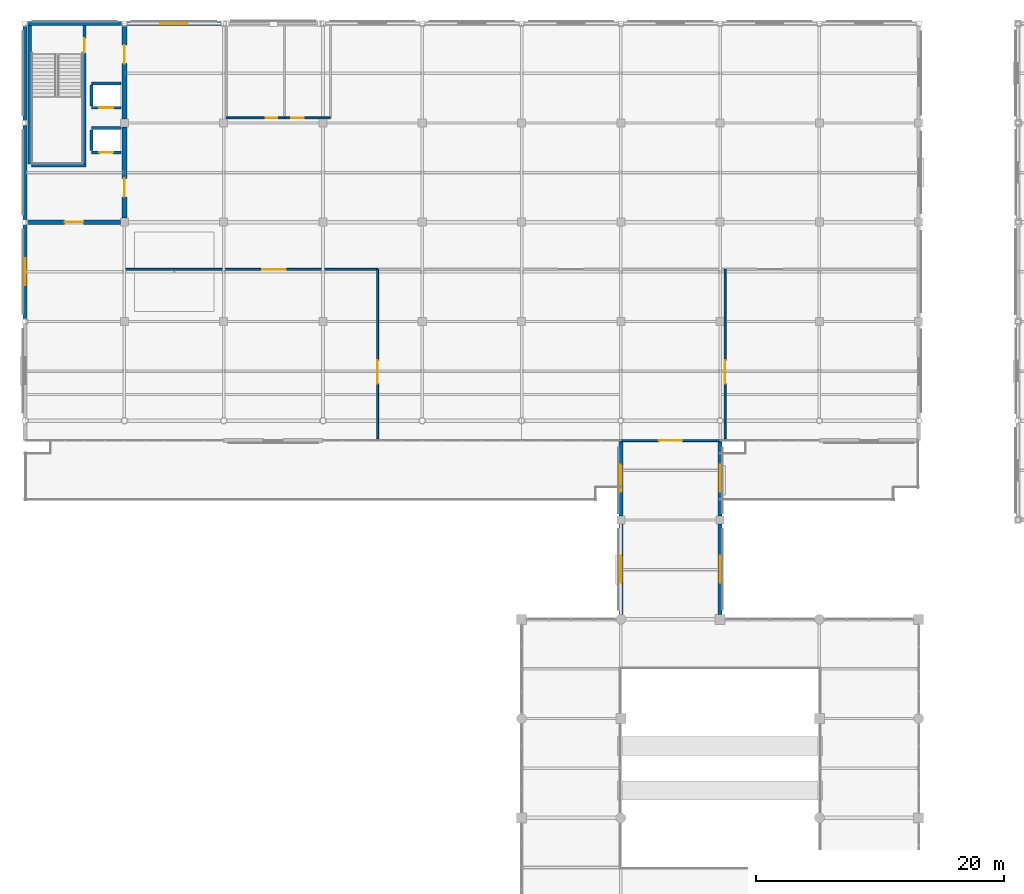
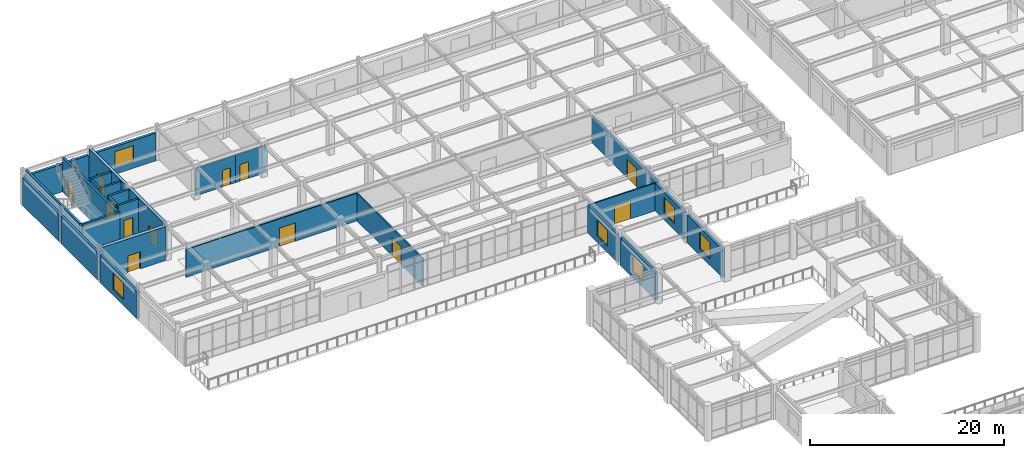
# One storey, part 61 of 93: 27 walls, 12 doors, 6 windows, 18 openings.
"""IFC4 building model written with IfcOpenShell, lengths in metres."""

from ifc_helpers import new_model, si_unit, direction, frame, frame_2d, origin, place, context, subcontext, project, spatial, rectangle, extrude, material, layer, layer_set, type_object, element, fill, save


model = new_model("IFC4")

# Units and contexts
model_context = context("Model", 3, precision=1e-05, world=origin(), true_north=direction((0.0, 1.0)))
body_context = subcontext(model_context, "Body", "Model", "MODEL_VIEW")
ifc_project = project(units=[si_unit("LENGTHUNIT", "METRE"), si_unit("AREAUNIT", "SQUARE_METRE"), si_unit("VOLUMEUNIT", "CUBIC_METRE"), si_unit("PLANEANGLEUNIT", "RADIAN"), si_unit("MASSUNIT", "GRAM", prefix="KILO")], contexts=[model_context])

# Site, building, storey
site_placement = place(None, origin())
site = spatial("IfcSite", under=ifc_project, at=site_placement, CompositionType="ELEMENT")
building_placement = place(site_placement, origin())
building = spatial("IfcBuilding", under=site, at=building_placement, Name="Solmirada Galleria", CompositionType="ELEMENT")
storey_placement = place(building_placement, frame((0.0, 0.0, 14.89990234375)))
storey = spatial("IfcBuildingStorey", under=building, at=storey_placement, Name="L03", CompositionType="ELEMENT", Elevation=14.89990234375)

# Wall, opening, door
ifc_material_1 = material(Name="Concrete C40/50", Category="concrete")
ifc_layer_1 = layer(ifc_material_1, 0.3798828125)
ifc_layer_set_1 = layer_set([ifc_layer_1], Name="Concrete C40/50")
wall_type_1 = type_object("IfcWallType", Name="WL-CORE-380", PredefinedType="SHEAR", material=ifc_layer_set_1)
wall_1_placement = place(storey_placement, frame((40.202880859375, 104.0, 0.0), z_axis=(0.0, 0.0, 1.0), x_axis=(1.0, 0.0, 0.0)))
wall_1 = element("IfcWall", 1, at=wall_1_placement, inside=storey, type_object=wall_type_1, Name="Core C1 shear wall L03 S1", PredefinedType="SHEAR", context=body_context, shape_type="SweptSolid", body=[
    extrude(rectangle(XDim=7.47216796875, YDim=0.3798828125, at=frame_2d((3.736083984375, 0.0))), origin(), (0.0, 0.0, 1.0), 4.280029296875),
])
opening_1_placement = place(wall_1_placement, frame((2.986083984375, 0.0, 0.0)))
opening_1 = element("IfcOpeningElement", 2, at=opening_1_placement, cuts=wall_1, Name="Opening LDY-118", PredefinedType="OPENING", context=body_context, shape_type="SweptSolid", body=[
    extrude(rectangle(XDim=1.5, YDim=2.14990234375, at=frame_2d((0.75, 1.074951171875))), frame((0.0, 0.199951171875, 0.0), z_axis=(0.0, -1.0, 0.0), x_axis=(1.0, 0.0, 0.0)), (0.0, 0.0, 1.0), 0.39990234375),
])
ifc_material_2 = material(Name="Fire-rated painted steel door assembly", Category="steel")
door_type_1 = type_object("IfcDoorType", Name="DR-LOBBY-150X215", OperationType="DOUBLE_DOOR_SINGLE_SWING", PredefinedType="DOOR", material=ifc_material_2)
door_1_placement = place(opening_1_placement, origin())
door_1 = element("IfcDoor", 3, at=door_1_placement, inside=storey, type_object=door_type_1, Name="Core C1 lobby access fire door LDY-118", OperationType="DOUBLE_DOOR_SINGLE_SWING", OverallHeight=2.14990234375, OverallWidth=1.5, PredefinedType="DOOR", context=body_context, shape_type="SweptSolid", body=[
    extrude(rectangle(XDim=1.5, YDim=2.14990234375, at=frame_2d((0.75, 1.074951171875))), frame((0.0, 0.02490234375, 0.0), z_axis=(0.0, -1.0, 0.0), x_axis=(1.0, 0.0, 0.0)), (0.0, 0.0, 1.0), 0.050048828125),
])
fill(opening_1, door_1)

wall_2_placement = place(storey_placement, frame((48.0, 104.324951171875, 0.0), z_axis=(0.0, 0.0, 1.0), x_axis=(0.0, 1.0, 0.0)))
wall_2 = element("IfcWall", 4, at=wall_2_placement, inside=storey, type_object=wall_type_1, Name="Core C1 shear wall L03 E1", PredefinedType="SHEAR", context=body_context, shape_type="SweptSolid", body=[
    extrude(rectangle(XDim=7.35009765625, YDim=0.3798828125, at=frame_2d((3.675048828125, 0.0))), origin(), (0.0, 0.0, 1.0), 4.280029296875),
])
opening_2_placement = place(wall_2_placement, frame((1.7119140625, 0.0, 0.0)))
opening_2 = element("IfcOpeningElement", 5, at=opening_2_placement, cuts=wall_2, Name="Opening LDY-119", PredefinedType="OPENING", context=body_context, shape_type="SweptSolid", body=[
    extrude(rectangle(XDim=1.5, YDim=2.14990234375, at=frame_2d((0.75, 1.074951171875))), frame((0.0, 0.199951171875, 0.0), z_axis=(0.0, -1.0, 0.0), x_axis=(1.0, 0.0, 0.0)), (0.0, 0.0, 1.0), 0.39990234375),
])
door_2_placement = place(opening_2_placement, origin())
door_2 = element("IfcDoor", 6, at=door_2_placement, inside=storey, type_object=door_type_1, Name="Core C1 lobby access fire door LDY-119", OperationType="DOUBLE_DOOR_SINGLE_SWING", OverallHeight=2.14990234375, OverallWidth=1.5, PredefinedType="DOOR", context=body_context, shape_type="SweptSolid", body=[
    extrude(rectangle(XDim=1.5, YDim=2.14990234375, at=frame_2d((0.75, 1.074951171875))), frame((0.0, 0.02490234375, 0.0), z_axis=(0.0, -1.0, 0.0), x_axis=(1.0, 0.0, 0.0)), (0.0, 0.0, 1.0), 0.050048828125),
])
fill(opening_2, door_2)

wall_3_placement = place(storey_placement, frame((48.0, 112.324951171875, 0.0), z_axis=(0.0, 0.0, 1.0), x_axis=(0.0, 1.0, 0.0)))
wall_3 = element("IfcWall", 7, at=wall_3_placement, inside=storey, type_object=wall_type_1, Name="Core C1 shear wall L03 E2", PredefinedType="SHEAR", context=body_context, shape_type="SweptSolid", body=[
    extrude(rectangle(XDim=7.47216796875, YDim=0.3798828125, at=frame_2d((3.736083984375, 0.0))), origin(), (0.0, 0.0, 1.0), 4.280029296875),
])
opening_3_placement = place(wall_3_placement, frame((4.447998046875, 0.0, 0.0)))
opening_3 = element("IfcOpeningElement", 8, at=opening_3_placement, cuts=wall_3, Name="Opening LDY-120", PredefinedType="OPENING", context=body_context, shape_type="SweptSolid", body=[
    extrude(rectangle(XDim=1.5, YDim=2.14990234375, at=frame_2d((0.75, 1.074951171875))), frame((0.0, 0.199951171875, 0.0), z_axis=(0.0, -1.0, 0.0), x_axis=(1.0, 0.0, 0.0)), (0.0, 0.0, 1.0), 0.39990234375),
])
door_3_placement = place(opening_3_placement, origin())
door_3 = element("IfcDoor", 9, at=door_3_placement, inside=storey, type_object=door_type_1, Name="Core C1 lobby access fire door LDY-120", OperationType="DOUBLE_DOOR_SINGLE_SWING", OverallHeight=2.14990234375, OverallWidth=1.5, PredefinedType="DOOR", context=body_context, shape_type="SweptSolid", body=[
    extrude(rectangle(XDim=1.5, YDim=2.14990234375, at=frame_2d((0.75, 1.074951171875))), frame((0.0, 0.02490234375, 0.0), z_axis=(0.0, -1.0, 0.0), x_axis=(1.0, 0.0, 0.0)), (0.0, 0.0, 1.0), 0.050048828125),
])
fill(opening_3, door_3)

# Wall, opening, window
ifc_material_3 = material(Name="Precast concrete C40/50", Category="concrete")
ifc_layer_2 = layer(ifc_material_3, 0.31005859375)
ifc_layer_set_2 = layer_set([ifc_layer_2], Name="Precast concrete C40/50")
wall_type_2 = type_object("IfcWallType", Name="WL-EXT-310", PredefinedType="STANDARD", material=ifc_layer_set_2)
wall_4_placement = place(storey_placement, frame((88.0, 72.39990234375, 0.0), z_axis=(0.0, 0.0, 1.0), x_axis=(0.0, 1.0, 0.0)))
wall_4 = element("IfcWall", 10, at=wall_4_placement, inside=storey, type_object=wall_type_2, Name="Exterior wall L03 bay 008", PredefinedType="STANDARD", context=body_context, shape_type="SweptSolid", body=[
    extrude(rectangle(XDim=7.275146484375, YDim=0.31005859375, at=frame_2d((3.6376953125, 0.0))), origin(), (0.0, 0.0, 1.0), 3.47998046875),
])
opening_4_placement = place(wall_4_placement, frame((2.537109375, 0.0, 0.800048828125)))
opening_4 = element("IfcOpeningElement", 11, at=opening_4_placement, cuts=wall_4, Name="Opening WN3", PredefinedType="OPENING", context=body_context, shape_type="SweptSolid", body=[
    extrude(rectangle(XDim=2.199951171875, YDim=2.050048828125, at=frame_2d((1.10009765625, 1.02490234375))), frame((0.0, 0.1650390625, 0.0), z_axis=(0.0, -1.0, 0.0), x_axis=(1.0, 0.0, 0.0)), (0.0, 0.0, 1.0), 0.330078125),
])
ifc_material_4 = material(Name="Impact-resistant low-E double glazing", Category="glass")
window_type = type_object("IfcWindowType", Name="WIN-AVE-220X205", PartitioningType="DOUBLE_PANEL_VERTICAL", PredefinedType="WINDOW", material=ifc_material_4)
window_1_placement = place(opening_4_placement, origin())
window_1 = element("IfcWindow", 12, at=window_1_placement, inside=storey, type_object=window_type, Name="Window L03-070", OverallHeight=2.050048828125, OverallWidth=2.199951171875, PartitioningType="DOUBLE_PANEL_VERTICAL", PredefinedType="WINDOW", context=body_context, shape_type="SweptSolid", body=[
    extrude(rectangle(XDim=2.199951171875, YDim=2.050048828125, at=frame_2d((1.10009765625, 1.02490234375))), frame((0.0, 0.030029296875, 0.0), z_axis=(0.0, -1.0, 0.0), x_axis=(1.0, 0.0, 0.0)), (0.0, 0.0, 1.0), 0.06005859375),
])
fill(opening_4, window_1)

wall_5_placement = place(storey_placement, frame((88.0, 80.324951171875, 0.0), z_axis=(0.0, 0.0, 1.0), x_axis=(0.0, 1.0, 0.0)))
wall_5 = element("IfcWall", 13, at=wall_5_placement, inside=storey, type_object=wall_type_2, Name="Exterior wall L03 bay 009", PredefinedType="STANDARD", context=body_context, shape_type="SweptSolid", body=[
    extrude(rectangle(XDim=6.074951171875, YDim=0.31005859375, at=frame_2d((3.03759765625, 0.0))), origin(), (0.0, 0.0, 1.0), 3.47998046875),
])
opening_5_placement = place(wall_5_placement, frame((1.93798828125, 0.0, 0.800048828125)))
opening_5 = element("IfcOpeningElement", 14, at=opening_5_placement, cuts=wall_5, Name="Opening WN3", PredefinedType="OPENING", context=body_context, shape_type="SweptSolid", body=[
    extrude(rectangle(XDim=2.199951171875, YDim=2.050048828125, at=frame_2d((1.10009765625, 1.02490234375))), frame((0.0, 0.1650390625, 0.0), z_axis=(0.0, -1.0, 0.0), x_axis=(1.0, 0.0, 0.0)), (0.0, 0.0, 1.0), 0.330078125),
])
window_2_placement = place(opening_5_placement, origin())
window_2 = element("IfcWindow", 15, at=window_2_placement, inside=storey, type_object=window_type, Name="Window L03-071", OverallHeight=2.050048828125, OverallWidth=2.199951171875, PartitioningType="DOUBLE_PANEL_VERTICAL", PredefinedType="WINDOW", context=body_context, shape_type="SweptSolid", body=[
    extrude(rectangle(XDim=2.199951171875, YDim=2.050048828125, at=frame_2d((1.10009765625, 1.02490234375))), frame((0.0, 0.030029296875, 0.0), z_axis=(0.0, -1.0, 0.0), x_axis=(1.0, 0.0, 0.0)), (0.0, 0.0, 1.0), 0.06005859375),
])
fill(opening_5, window_2)

wall_6_placement = place(storey_placement, frame((40.0, 96.202880859375, 0.0), z_axis=(0.0, 0.0, 1.0), x_axis=(0.0, 1.0, 0.0)))
wall_6 = element("IfcWall", 16, at=wall_6_placement, inside=storey, type_object=wall_type_2, Name="Exterior wall L03 bay 018", PredefinedType="STANDARD", context=body_context, shape_type="SweptSolid", body=[
    extrude(rectangle(XDim=7.59423828125, YDim=0.31005859375, at=frame_2d((3.797119140625, 0.0))), origin(), (0.0, 0.0, 1.0), 3.47998046875),
])
opening_6_placement = place(wall_6_placement, frame((2.697021484375, 0.0, 0.800048828125)))
opening_6 = element("IfcOpeningElement", 17, at=opening_6_placement, cuts=wall_6, Name="Opening WN3", PredefinedType="OPENING", context=body_context, shape_type="SweptSolid", body=[
    extrude(rectangle(XDim=2.199951171875, YDim=2.050048828125, at=frame_2d((1.10009765625, 1.02490234375))), frame((0.0, 0.1650390625, 0.0), z_axis=(0.0, -1.0, 0.0), x_axis=(1.0, 0.0, 0.0)), (0.0, 0.0, 1.0), 0.330078125),
])
window_3_placement = place(opening_6_placement, origin())
window_3 = element("IfcWindow", 18, at=window_3_placement, inside=storey, type_object=window_type, Name="Window L03-073", OverallHeight=2.050048828125, OverallWidth=2.199951171875, PartitioningType="DOUBLE_PANEL_VERTICAL", PredefinedType="WINDOW", context=body_context, shape_type="SweptSolid", body=[
    extrude(rectangle(XDim=2.199951171875, YDim=2.050048828125, at=frame_2d((1.10009765625, 1.02490234375))), frame((0.0, 0.030029296875, 0.0), z_axis=(0.0, -1.0, 0.0), x_axis=(1.0, 0.0, 0.0)), (0.0, 0.0, 1.0), 0.06005859375),
])
fill(opening_6, window_3)

# Walls
for number, where, z_axis, x_axis, name in (
    (19, (40.0, 104.202880859375, 0.0), (0.0, 0.0, 1.0), (0.0, 1.0, 0.0), "Exterior wall L03 bay 019"),
    (20, (40.0, 112.202880859375, 0.0), (0.0, 0.0, 1.0), (0.0, 1.0, 0.0), "Exterior wall L03 bay 020"),
    (21, (40.202880859375, 120.0, 0.0), (0.0, 0.0, 1.0), (1.0, 0.0, 0.0), "Exterior wall L03 bay 021"),
):
    element("IfcWall", number, at=place(storey_placement, frame(where, z_axis=z_axis, x_axis=x_axis)), inside=storey, type_object=wall_type_2, Name=name, PredefinedType="STANDARD", context=body_context, shape_type="SweptSolid", body=[
        extrude(rectangle(XDim=7.59423828125, YDim=0.31005859375, at=frame_2d((3.797119140625, 0.0))), origin(), (0.0, 0.0, 1.0), 3.47998046875),
    ])

# Wall, opening, window
wall_7_placement = place(storey_placement, frame((48.202880859375, 120.0, 0.0), z_axis=(0.0, 0.0, 1.0), x_axis=(1.0, 0.0, 0.0)))
wall_7 = element("IfcWall", 22, at=wall_7_placement, inside=storey, type_object=wall_type_2, Name="Exterior wall L03 bay 022", PredefinedType="STANDARD", context=body_context, shape_type="SweptSolid", body=[
    extrude(rectangle(XDim=7.59423828125, YDim=0.31005859375, at=frame_2d((3.797119140625, 0.0))), origin(), (0.0, 0.0, 1.0), 3.47998046875),
])
opening_7_placement = place(wall_7_placement, frame((2.697021484375, 0.0, 0.800048828125)))
opening_7 = element("IfcOpeningElement", 23, at=opening_7_placement, cuts=wall_7, Name="Opening WN3", PredefinedType="OPENING", context=body_context, shape_type="SweptSolid", body=[
    extrude(rectangle(XDim=2.199951171875, YDim=2.050048828125, at=frame_2d((1.10009765625, 1.02490234375))), frame((0.0, 0.1650390625, 0.0), z_axis=(0.0, -1.0, 0.0), x_axis=(1.0, 0.0, 0.0)), (0.0, 0.0, 1.0), 0.330078125),
])
window_4_placement = place(opening_7_placement, origin())
window_4 = element("IfcWindow", 24, at=window_4_placement, inside=storey, type_object=window_type, Name="Window L03-074", OverallHeight=2.050048828125, OverallWidth=2.199951171875, PartitioningType="DOUBLE_PANEL_VERTICAL", PredefinedType="WINDOW", context=body_context, shape_type="SweptSolid", body=[
    extrude(rectangle(XDim=2.199951171875, YDim=2.050048828125, at=frame_2d((1.10009765625, 1.02490234375))), frame((0.0, 0.030029296875, 0.0), z_axis=(0.0, -1.0, 0.0), x_axis=(1.0, 0.0, 0.0)), (0.0, 0.0, 1.0), 0.06005859375),
])
fill(opening_7, window_4)

wall_8_placement = place(storey_placement, frame((96.0, 86.39990234375, 0.0), z_axis=(0.0, 0.0, 1.0), x_axis=(0.0, -1.0, 0.0)))
wall_8 = element("IfcWall", 25, at=wall_8_placement, inside=storey, type_object=wall_type_2, Name="Exterior wall L03 bay 037", PredefinedType="STANDARD", context=body_context, shape_type="SweptSolid", body=[
    extrude(rectangle(XDim=6.074951171875, YDim=0.31005859375, at=frame_2d((3.03759765625, 0.0))), origin(), (0.0, 0.0, 1.0), 3.47998046875),
])
opening_8_placement = place(wall_8_placement, frame((1.93798828125, 0.0, 0.800048828125)))
opening_8 = element("IfcOpeningElement", 26, at=opening_8_placement, cuts=wall_8, Name="Opening WN3", PredefinedType="OPENING", context=body_context, shape_type="SweptSolid", body=[
    extrude(rectangle(XDim=2.199951171875, YDim=2.050048828125, at=frame_2d((1.10009765625, 1.02490234375))), frame((0.0, 0.1650390625, 0.0), z_axis=(0.0, -1.0, 0.0), x_axis=(1.0, 0.0, 0.0)), (0.0, 0.0, 1.0), 0.330078125),
])
window_5_placement = place(opening_8_placement, origin())
window_5 = element("IfcWindow", 27, at=window_5_placement, inside=storey, type_object=window_type, Name="Window L03-084", OverallHeight=2.050048828125, OverallWidth=2.199951171875, PartitioningType="DOUBLE_PANEL_VERTICAL", PredefinedType="WINDOW", context=body_context, shape_type="SweptSolid", body=[
    extrude(rectangle(XDim=2.199951171875, YDim=2.050048828125, at=frame_2d((1.10009765625, 1.02490234375))), frame((0.0, 0.030029296875, 0.0), z_axis=(0.0, -1.0, 0.0), x_axis=(1.0, 0.0, 0.0)), (0.0, 0.0, 1.0), 0.06005859375),
])
fill(opening_8, window_5)

wall_9_placement = place(storey_placement, frame((96.0, 79.675048828125, 0.0), z_axis=(0.0, 0.0, 1.0), x_axis=(0.0, -1.0, 0.0)))
wall_9 = element("IfcWall", 28, at=wall_9_placement, inside=storey, type_object=wall_type_2, Name="Exterior wall L03 bay 038", PredefinedType="STANDARD", context=body_context, shape_type="SweptSolid", body=[
    extrude(rectangle(XDim=7.275146484375, YDim=0.31005859375, at=frame_2d((3.6376953125, 0.0))), origin(), (0.0, 0.0, 1.0), 3.47998046875),
])
opening_9_placement = place(wall_9_placement, frame((2.537109375, 0.0, 0.800048828125)))
opening_9 = element("IfcOpeningElement", 29, at=opening_9_placement, cuts=wall_9, Name="Opening WN3", PredefinedType="OPENING", context=body_context, shape_type="SweptSolid", body=[
    extrude(rectangle(XDim=2.199951171875, YDim=2.050048828125, at=frame_2d((1.10009765625, 1.02490234375))), frame((0.0, 0.1650390625, 0.0), z_axis=(0.0, -1.0, 0.0), x_axis=(1.0, 0.0, 0.0)), (0.0, 0.0, 1.0), 0.330078125),
])
window_6_placement = place(opening_9_placement, origin())
window_6 = element("IfcWindow", 30, at=window_6_placement, inside=storey, type_object=window_type, Name="Window L03-085", OverallHeight=2.050048828125, OverallWidth=2.199951171875, PartitioningType="DOUBLE_PANEL_VERTICAL", PredefinedType="WINDOW", context=body_context, shape_type="SweptSolid", body=[
    extrude(rectangle(XDim=2.199951171875, YDim=2.050048828125, at=frame_2d((1.10009765625, 1.02490234375))), frame((0.0, 0.030029296875, 0.0), z_axis=(0.0, -1.0, 0.0), x_axis=(1.0, 0.0, 0.0)), (0.0, 0.0, 1.0), 0.06005859375),
])
fill(opening_9, window_6)

# Wall, opening, door
ifc_layer_3 = layer(ifc_material_1, 0.239990234375)
ifc_layer_set_3 = layer_set([ifc_layer_3], Name="Concrete C40/50")
wall_type_3 = type_object("IfcWallType", Name="WL-HOIST-240", PredefinedType="PARTITIONING", material=ifc_layer_set_3)
wall_10_placement = place(storey_placement, frame((45.344970703125, 113.219970703125, 0.0), z_axis=(0.0, 0.0, 1.0), x_axis=(1.0, 0.0, 0.0)))
wall_10 = element("IfcWall", 31, at=wall_10_placement, inside=storey, type_object=wall_type_3, Name="Lift LP1 hoistway front wall L03", PredefinedType="PARTITIONING", context=body_context, shape_type="SweptSolid", body=[
    extrude(rectangle(XDim=2.375, YDim=0.239990234375, at=frame_2d((1.1875, 0.0))), origin(), (0.0, 0.0, 1.0), 4.280029296875),
])
opening_10_placement = place(wall_10_placement, frame((0.636962890625, 0.0, 0.0)))
opening_10 = element("IfcOpeningElement", 32, at=opening_10_placement, cuts=wall_10, Name="Opening LD-LP1-L03", PredefinedType="OPENING", context=body_context, shape_type="SweptSolid", body=[
    extrude(rectangle(XDim=1.10009765625, YDim=2.14990234375, at=frame_2d((0.550048828125, 1.074951171875))), frame((0.0, 0.1298828125, 0.0), z_axis=(0.0, -1.0, 0.0), x_axis=(1.0, 0.0, 0.0)), (0.0, 0.0, 1.0), 0.260009765625),
])
ifc_material_5 = material(Name="Brushed stainless-steel sliding landing door", Category="steel")
door_type_2 = type_object("IfcDoorType", Name="DR-LIFT-110X215", OperationType="SLIDING_TO_LEFT", PredefinedType="DOOR", material=ifc_material_5)
door_4_placement = place(opening_10_placement, origin())
door_4 = element("IfcDoor", 33, at=door_4_placement, inside=storey, type_object=door_type_2, Name="Lift LP1 sliding landing door L03", OperationType="SLIDING_TO_LEFT", OverallHeight=2.14990234375, OverallWidth=1.10009765625, PredefinedType="DOOR", context=body_context, shape_type="SweptSolid", body=[
    extrude(rectangle(XDim=1.10009765625, YDim=2.14990234375, at=frame_2d((0.550048828125, 1.074951171875))), frame((0.0, 0.02490234375, 0.0), z_axis=(0.0, -1.0, 0.0), x_axis=(1.0, 0.0, 0.0)), (0.0, 0.0, 1.0), 0.050048828125),
])
fill(opening_10, door_4)

# Walls
wall_11_placement = place(storey_placement, frame((45.344970703125, 115.179931640625, 0.0), z_axis=(0.0, 0.0, 1.0), x_axis=(1.0, 0.0, 0.0)))
element("IfcWall", 34, at=wall_11_placement, inside=storey, type_object=wall_type_3, Name="Lift LP1 hoistway rear wall L03", PredefinedType="PARTITIONING", context=body_context, shape_type="SweptSolid", body=[
    extrude(rectangle(XDim=2.375, YDim=0.239990234375, at=frame_2d((1.1875, 0.0))), origin(), (0.0, 0.0, 1.0), 4.280029296875),
])
wall_12_placement = place(storey_placement, frame((45.344970703125, 113.360107421875, 0.0), z_axis=(0.0, 0.0, 1.0), x_axis=(0.0, 1.0, 0.0)))
element("IfcWall", 35, at=wall_12_placement, inside=storey, type_object=wall_type_3, Name="Lift LP1 hoistway side wall L L03", PredefinedType="PARTITIONING", context=body_context, shape_type="SweptSolid", body=[
    extrude(rectangle(XDim=1.679931640625, YDim=0.239990234375, at=frame_2d((0.83984375, 0.0))), origin(), (0.0, 0.0, 1.0), 4.280029296875),
])

# Wall, opening, door
wall_13_placement = place(storey_placement, frame((45.344970703125, 109.6201171875, 0.0), z_axis=(0.0, 0.0, 1.0), x_axis=(1.0, 0.0, 0.0)))
wall_13 = element("IfcWall", 36, at=wall_13_placement, inside=storey, type_object=wall_type_3, Name="Lift LP2 hoistway front wall L03", PredefinedType="PARTITIONING", context=body_context, shape_type="SweptSolid", body=[
    extrude(rectangle(XDim=2.375, YDim=0.239990234375, at=frame_2d((1.1875, 0.0))), origin(), (0.0, 0.0, 1.0), 4.280029296875),
])
opening_11_placement = place(wall_13_placement, frame((0.636962890625, 0.0, 0.0)))
opening_11 = element("IfcOpeningElement", 37, at=opening_11_placement, cuts=wall_13, Name="Opening LD-LP2-L03", PredefinedType="OPENING", context=body_context, shape_type="SweptSolid", body=[
    extrude(rectangle(XDim=1.10009765625, YDim=2.14990234375, at=frame_2d((0.550048828125, 1.074951171875))), frame((0.0, 0.1298828125, 0.0), z_axis=(0.0, -1.0, 0.0), x_axis=(1.0, 0.0, 0.0)), (0.0, 0.0, 1.0), 0.260009765625),
])
door_5_placement = place(opening_11_placement, origin())
door_5 = element("IfcDoor", 38, at=door_5_placement, inside=storey, type_object=door_type_2, Name="Lift LP2 sliding landing door L03", OperationType="SLIDING_TO_LEFT", OverallHeight=2.14990234375, OverallWidth=1.10009765625, PredefinedType="DOOR", context=body_context, shape_type="SweptSolid", body=[
    extrude(rectangle(XDim=1.10009765625, YDim=2.14990234375, at=frame_2d((0.550048828125, 1.074951171875))), frame((0.0, 0.02490234375, 0.0), z_axis=(0.0, -1.0, 0.0), x_axis=(1.0, 0.0, 0.0)), (0.0, 0.0, 1.0), 0.050048828125),
])
fill(opening_11, door_5)

# Walls
wall_14_placement = place(storey_placement, frame((45.344970703125, 111.580078125, 0.0), z_axis=(0.0, 0.0, 1.0), x_axis=(1.0, 0.0, 0.0)))
element("IfcWall", 39, at=wall_14_placement, inside=storey, type_object=wall_type_3, Name="Lift LP2 hoistway rear wall L03", PredefinedType="PARTITIONING", context=body_context, shape_type="SweptSolid", body=[
    extrude(rectangle(XDim=2.375, YDim=0.239990234375, at=frame_2d((1.1875, 0.0))), origin(), (0.0, 0.0, 1.0), 4.280029296875),
])
wall_15_placement = place(storey_placement, frame((45.344970703125, 109.760009765625, 0.0), z_axis=(0.0, 0.0, 1.0), x_axis=(0.0, 1.0, 0.0)))
element("IfcWall", 40, at=wall_15_placement, inside=storey, type_object=wall_type_3, Name="Lift LP2 hoistway side wall L L03", PredefinedType="PARTITIONING", context=body_context, shape_type="SweptSolid", body=[
    extrude(rectangle(XDim=1.679931640625, YDim=0.239990234375, at=frame_2d((0.83984375, 0.0))), origin(), (0.0, 0.0, 1.0), 4.280029296875),
])

# Wall, opening, door
ifc_material_6 = material(Name="Acoustic gypsum board partition")
ifc_layer_4 = layer(ifc_material_6, 0.159912109375)
ifc_layer_set_4 = layer_set([ifc_layer_4], Name="Acoustic gypsum board partition")
wall_type_4 = type_object("IfcWallType", Name="WL-PART-160", PredefinedType="PARTITIONING", material=ifc_layer_set_4)
wall_16_placement = place(storey_placement, frame((56.199951171875, 112.39990234375, 0.0), z_axis=(0.0, 0.0, 1.0), x_axis=(1.0, 0.0, 0.0)))
wall_16 = element("IfcWall", 41, at=wall_16_placement, inside=storey, type_object=wall_type_4, Name="Partition L03-092 (North Restroom)", PredefinedType="PARTITIONING", context=body_context, shape_type="SweptSolid", body=[
    extrude(rectangle(XDim=4.699951171875, YDim=0.159912109375, at=frame_2d((2.35009765625, 0.0))), origin(), (0.0, 0.0, 1.0), 3.47998046875),
])
opening_12_placement = place(wall_16_placement, frame((3.193115234375, 0.0, 0.0)))
opening_12 = element("IfcOpeningElement", 42, at=opening_12_placement, cuts=wall_16, Name="Opening ID-325", PredefinedType="OPENING", context=body_context, shape_type="SweptSolid", body=[
    extrude(rectangle(XDim=0.919921875, YDim=2.10009765625, at=frame_2d((0.4599609375, 1.050048828125))), frame((0.0, 0.08984375, 0.0), z_axis=(0.0, -1.0, 0.0), x_axis=(1.0, 0.0, 0.0)), (0.0, 0.0, 1.0), 0.179931640625),
])
ifc_material_7 = material(Name="Architectural hardwood veneer door", Category="wood")
door_type_3 = type_object("IfcDoorType", Name="DR-WC-092X210", OperationType="NOTDEFINED", PredefinedType="DOOR", material=ifc_material_7)
door_6_placement = place(opening_12_placement, origin())
door_6 = element("IfcDoor", 43, at=door_6_placement, inside=storey, type_object=door_type_3, Name="North Restroom door ID-325", OperationType="SINGLE_SWING_LEFT", OverallHeight=2.10009765625, OverallWidth=0.919921875, PredefinedType="DOOR", context=body_context, shape_type="SweptSolid", body=[
    extrude(rectangle(XDim=0.919921875, YDim=2.10009765625, at=frame_2d((0.4599609375, 1.050048828125))), frame((0.0, 0.02490234375, 0.0), z_axis=(0.0, -1.0, 0.0), x_axis=(1.0, 0.0, 0.0)), (0.0, 0.0, 1.0), 0.050048828125),
])
fill(opening_12, door_6)

wall_17_placement = place(storey_placement, frame((60.89990234375, 112.39990234375, 0.0), z_axis=(0.0, 0.0, 1.0), x_axis=(1.0, 0.0, 0.0)))
wall_17 = element("IfcWall", 44, at=wall_17_placement, inside=storey, type_object=wall_type_4, Name="Partition L03-093 (North Accessible WC)", PredefinedType="PARTITIONING", context=body_context, shape_type="SweptSolid", body=[
    extrude(rectangle(XDim=3.7001953125, YDim=0.159912109375, at=frame_2d((1.85009765625, 0.0))), origin(), (0.0, 0.0, 1.0), 3.47998046875),
])
opening_13_placement = place(wall_17_placement, frame((0.548095703125, 0.0, 0.0)))
opening_13 = element("IfcOpeningElement", 45, at=opening_13_placement, cuts=wall_17, Name="Opening ID-326", PredefinedType="OPENING", context=body_context, shape_type="SweptSolid", body=[
    extrude(rectangle(XDim=1.02001953125, YDim=2.10009765625, at=frame_2d((0.510009765625, 1.050048828125))), frame((0.0, 0.08984375, 0.0), z_axis=(0.0, -1.0, 0.0), x_axis=(1.0, 0.0, 0.0)), (0.0, 0.0, 1.0), 0.179931640625),
])
door_type_4 = type_object("IfcDoorType", Name="DR-AWC-102X210", OperationType="NOTDEFINED", PredefinedType="DOOR", material=ifc_material_7)
door_7_placement = place(opening_13_placement, origin())
door_7 = element("IfcDoor", 46, at=door_7_placement, inside=storey, type_object=door_type_4, Name="North Accessible WC door ID-326", OperationType="SINGLE_SWING_RIGHT", OverallHeight=2.10009765625, OverallWidth=1.02001953125, PredefinedType="DOOR", context=body_context, shape_type="SweptSolid", body=[
    extrude(rectangle(XDim=1.02001953125, YDim=2.10009765625, at=frame_2d((0.510009765625, 1.050048828125))), frame((0.0, 0.02490234375, 0.0), z_axis=(0.0, -1.0, 0.0), x_axis=(1.0, 0.0, 0.0)), (0.0, 0.0, 1.0), 0.050048828125),
])
fill(opening_13, door_7)

wall_18_placement = place(storey_placement, frame((48.0, 100.199951171875, 0.0), z_axis=(0.0, 0.0, 1.0), x_axis=(1.0, 0.0, 0.0)))
wall_18 = element("IfcWall", 47, at=wall_18_placement, inside=storey, type_object=wall_type_4, Name="Partition L03-097 (North Promenade W L03)", PredefinedType="PARTITIONING", context=body_context, shape_type="SweptSolid", body=[
    extrude(rectangle(XDim=20.39990234375, YDim=0.159912109375, at=frame_2d((10.199951171875, 0.0))), origin(), (0.0, 0.0, 1.0), 3.47998046875),
])
opening_14_placement = place(wall_18_placement, frame((11.091064453125, 0.0, 0.0)))
opening_14 = element("IfcOpeningElement", 48, at=opening_14_placement, cuts=wall_18, Name="Opening ID-327", PredefinedType="OPENING", context=body_context, shape_type="SweptSolid", body=[
    extrude(rectangle(XDim=1.89990234375, YDim=2.300048828125, at=frame_2d((0.949951171875, 1.14990234375))), frame((0.0, 0.08984375, 0.0), z_axis=(0.0, -1.0, 0.0), x_axis=(1.0, 0.0, 0.0)), (0.0, 0.0, 1.0), 0.179931640625),
])
door_type_5 = type_object("IfcDoorType", Name="DR-DEPT-190X230", OperationType="DOUBLE_DOOR_SINGLE_SWING", PredefinedType="DOOR", material=ifc_material_7)
door_8_placement = place(opening_14_placement, origin())
door_8 = element("IfcDoor", 49, at=door_8_placement, inside=storey, type_object=door_type_5, Name="North Promenade W L03 door ID-327", OperationType="DOUBLE_DOOR_SINGLE_SWING", OverallHeight=2.300048828125, OverallWidth=1.89990234375, PredefinedType="DOOR", context=body_context, shape_type="SweptSolid", body=[
    extrude(rectangle(XDim=1.89990234375, YDim=2.300048828125, at=frame_2d((0.949951171875, 1.14990234375))), frame((0.0, 0.02490234375, 0.0), z_axis=(0.0, -1.0, 0.0), x_axis=(1.0, 0.0, 0.0)), (0.0, 0.0, 1.0), 0.050048828125),
])
fill(opening_14, door_8)

wall_19_placement = place(storey_placement, frame((68.39990234375, 86.550048828125, 0.0), z_axis=(0.0, 0.0, 1.0), x_axis=(0.0, 1.0, 0.0)))
wall_19 = element("IfcWall", 50, at=wall_19_placement, inside=storey, type_object=wall_type_4, Name="Partition L03-100 (North Department W L03)", PredefinedType="PARTITIONING", context=body_context, shape_type="SweptSolid", body=[
    extrude(rectangle(XDim=13.64990234375, YDim=0.159912109375, at=frame_2d((6.824951171875, 0.0))), origin(), (0.0, 0.0, 1.0), 3.47998046875),
])
opening_15_placement = place(wall_19_placement, frame((4.4208984375, 0.0, 0.0)))
opening_15 = element("IfcOpeningElement", 51, at=opening_15_placement, cuts=wall_19, Name="Opening ID-330", PredefinedType="OPENING", context=body_context, shape_type="SweptSolid", body=[
    extrude(rectangle(XDim=1.89990234375, YDim=2.300048828125, at=frame_2d((0.949951171875, 1.14990234375))), frame((0.0, 0.08984375, 0.0), z_axis=(0.0, -1.0, 0.0), x_axis=(1.0, 0.0, 0.0)), (0.0, 0.0, 1.0), 0.179931640625),
])
door_9_placement = place(opening_15_placement, origin())
door_9 = element("IfcDoor", 52, at=door_9_placement, inside=storey, type_object=door_type_5, Name="North Department W L03 door ID-330", OperationType="DOUBLE_DOOR_SINGLE_SWING", OverallHeight=2.300048828125, OverallWidth=1.89990234375, PredefinedType="DOOR", context=body_context, shape_type="SweptSolid", body=[
    extrude(rectangle(XDim=1.89990234375, YDim=2.300048828125, at=frame_2d((0.949951171875, 1.14990234375))), frame((0.0, 0.02490234375, 0.0), z_axis=(0.0, -1.0, 0.0), x_axis=(1.0, 0.0, 0.0)), (0.0, 0.0, 1.0), 0.050048828125),
])
fill(opening_15, door_9)

wall_20_placement = place(storey_placement, frame((96.39990234375, 86.550048828125, 0.0), z_axis=(0.0, 0.0, 1.0), x_axis=(0.0, 1.0, 0.0)))
wall_20 = element("IfcWall", 53, at=wall_20_placement, inside=storey, type_object=wall_type_4, Name="Partition L03-101 (North Department E L03)", PredefinedType="PARTITIONING", context=body_context, shape_type="SweptSolid", body=[
    extrude(rectangle(XDim=13.64990234375, YDim=0.159912109375, at=frame_2d((6.824951171875, 0.0))), origin(), (0.0, 0.0, 1.0), 3.47998046875),
])
opening_16_placement = place(wall_20_placement, frame((4.4208984375, 0.0, 0.0)))
opening_16 = element("IfcOpeningElement", 54, at=opening_16_placement, cuts=wall_20, Name="Opening ID-331", PredefinedType="OPENING", context=body_context, shape_type="SweptSolid", body=[
    extrude(rectangle(XDim=1.89990234375, YDim=2.300048828125, at=frame_2d((0.949951171875, 1.14990234375))), frame((0.0, 0.08984375, 0.0), z_axis=(0.0, -1.0, 0.0), x_axis=(1.0, 0.0, 0.0)), (0.0, 0.0, 1.0), 0.179931640625),
])
door_10_placement = place(opening_16_placement, origin())
door_10 = element("IfcDoor", 55, at=door_10_placement, inside=storey, type_object=door_type_5, Name="North Department E L03 door ID-331", OperationType="DOUBLE_DOOR_SINGLE_SWING", OverallHeight=2.300048828125, OverallWidth=1.89990234375, PredefinedType="DOOR", context=body_context, shape_type="SweptSolid", body=[
    extrude(rectangle(XDim=1.89990234375, YDim=2.300048828125, at=frame_2d((0.949951171875, 1.14990234375))), frame((0.0, 0.02490234375, 0.0), z_axis=(0.0, -1.0, 0.0), x_axis=(1.0, 0.0, 0.0)), (0.0, 0.0, 1.0), 0.050048828125),
])
fill(opening_16, door_10)

wall_21_placement = place(storey_placement, frame((88.0, 86.39990234375, 0.0), z_axis=(0.0, 0.0, 1.0), x_axis=(1.0, 0.0, 0.0)))
wall_21 = element("IfcWall", 56, at=wall_21_placement, inside=storey, type_object=wall_type_4, Name="Partition L03-102 (North Atrium Link L03)", PredefinedType="PARTITIONING", context=body_context, shape_type="SweptSolid", body=[
    extrude(rectangle(XDim=8.0, YDim=0.159912109375, at=frame_2d((4.0, 0.0))), origin(), (0.0, 0.0, 1.0), 3.47998046875),
])
opening_17_placement = place(wall_21_placement, frame((3.050048828125, 0.0, 0.0)))
opening_17 = element("IfcOpeningElement", 57, at=opening_17_placement, cuts=wall_21, Name="Opening ID-332", PredefinedType="OPENING", context=body_context, shape_type="SweptSolid", body=[
    extrude(rectangle(XDim=1.89990234375, YDim=2.300048828125, at=frame_2d((0.949951171875, 1.14990234375))), frame((0.0, 0.08984375, 0.0), z_axis=(0.0, -1.0, 0.0), x_axis=(1.0, 0.0, 0.0)), (0.0, 0.0, 1.0), 0.179931640625),
])
door_11_placement = place(opening_17_placement, origin())
door_11 = element("IfcDoor", 58, at=door_11_placement, inside=storey, type_object=door_type_5, Name="North Atrium Link L03 door ID-332", OperationType="DOUBLE_DOOR_SINGLE_SWING", OverallHeight=2.300048828125, OverallWidth=1.89990234375, PredefinedType="DOOR", context=body_context, shape_type="SweptSolid", body=[
    extrude(rectangle(XDim=1.89990234375, YDim=2.300048828125, at=frame_2d((0.949951171875, 1.14990234375))), frame((0.0, 0.02490234375, 0.0), z_axis=(0.0, -1.0, 0.0), x_axis=(1.0, 0.0, 0.0)), (0.0, 0.0, 1.0), 0.050048828125),
])
fill(opening_17, door_11)

# Walls
ifc_layer_5 = layer(ifc_material_1, 0.260009765625)
ifc_layer_set_5 = layer_set([ifc_layer_5], Name="Concrete C40/50")
wall_type_5 = type_object("IfcWallType", Name="WL-SHAFT-260", PredefinedType="SHEAR", material=ifc_layer_set_5)
wall_22_placement = place(storey_placement, frame((40.5, 108.570068359375, 0.0), z_axis=(0.0, 0.0, 1.0), x_axis=(1.0, 0.0, 0.0)))
element("IfcWall", 59, at=wall_22_placement, inside=storey, type_object=wall_type_5, Name="Stair ST1 enclosure wall L03 S", PredefinedType="SHEAR", context=body_context, shape_type="SweptSolid", body=[
    extrude(rectangle(XDim=4.409912109375, YDim=0.260009765625, at=frame_2d((2.205078125, 0.0))), origin(), (0.0, 0.0, 1.0), 4.280029296875),
])
wall_23_placement = place(storey_placement, frame((40.3701171875, 108.699951171875, 0.0), z_axis=(0.0, 0.0, 1.0), x_axis=(0.0, 1.0, 0.0)))
element("IfcWall", 60, at=wall_23_placement, inside=storey, type_object=wall_type_5, Name="Stair ST1 enclosure wall L03 W", PredefinedType="SHEAR", context=body_context, shape_type="SweptSolid", body=[
    extrude(rectangle(XDim=11.155029296875, YDim=0.260009765625, at=frame_2d((5.57763671875, 0.0))), origin(), (0.0, 0.0, 1.0), 4.280029296875),
])

# Wall, opening, door
wall_24_placement = place(storey_placement, frame((44.780029296875, 108.699951171875, 0.0), z_axis=(0.0, 0.0, 1.0), x_axis=(0.0, 1.0, 0.0)))
wall_24 = element("IfcWall", 61, at=wall_24_placement, inside=storey, type_object=wall_type_5, Name="Stair ST1 enclosure wall L03 E", PredefinedType="SHEAR", context=body_context, shape_type="SweptSolid", body=[
    extrude(rectangle(XDim=11.155029296875, YDim=0.260009765625, at=frame_2d((5.57763671875, 0.0))), origin(), (0.0, 0.0, 1.0), 4.280029296875),
])
opening_18_placement = place(wall_24_placement, frame((8.949951171875, 0.0, 0.0)))
opening_18 = element("IfcOpeningElement", 62, at=opening_18_placement, cuts=wall_24, Name="Opening SD-117", PredefinedType="OPENING", context=body_context, shape_type="SweptSolid", body=[
    extrude(rectangle(XDim=1.14990234375, YDim=2.14990234375, at=frame_2d((0.574951171875, 1.074951171875))), frame((0.0, 0.139892578125, 0.0), z_axis=(0.0, -1.0, 0.0), x_axis=(1.0, 0.0, 0.0)), (0.0, 0.0, 1.0), 0.280029296875),
])
door_type_6 = type_object("IfcDoorType", Name="DR-STAIR-115X215", OperationType="NOTDEFINED", PredefinedType="DOOR", material=ifc_material_2)
door_12_placement = place(opening_18_placement, origin())
door_12 = element("IfcDoor", 63, at=door_12_placement, inside=storey, type_object=door_type_6, Name="Exit stair ST1 enclosure fire door SD-117", OperationType="SINGLE_SWING_RIGHT", OverallHeight=2.14990234375, OverallWidth=1.14990234375, PredefinedType="DOOR", context=body_context, shape_type="SweptSolid", body=[
    extrude(rectangle(XDim=1.14990234375, YDim=2.14990234375, at=frame_2d((0.574951171875, 1.074951171875))), frame((0.0, 0.02490234375, 0.0), z_axis=(0.0, -1.0, 0.0), x_axis=(1.0, 0.0, 0.0)), (0.0, 0.0, 1.0), 0.050048828125),
])
fill(opening_18, door_12)

save(model, "model.ifc")
